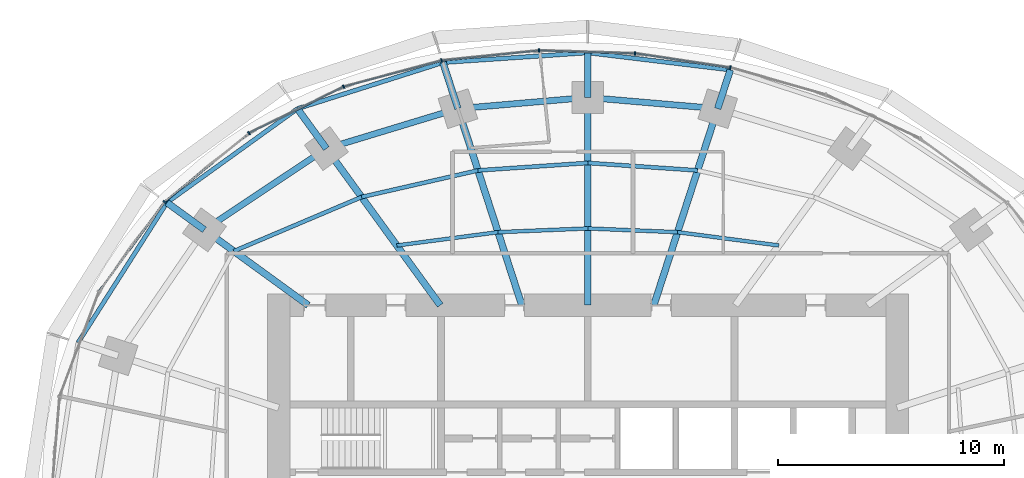
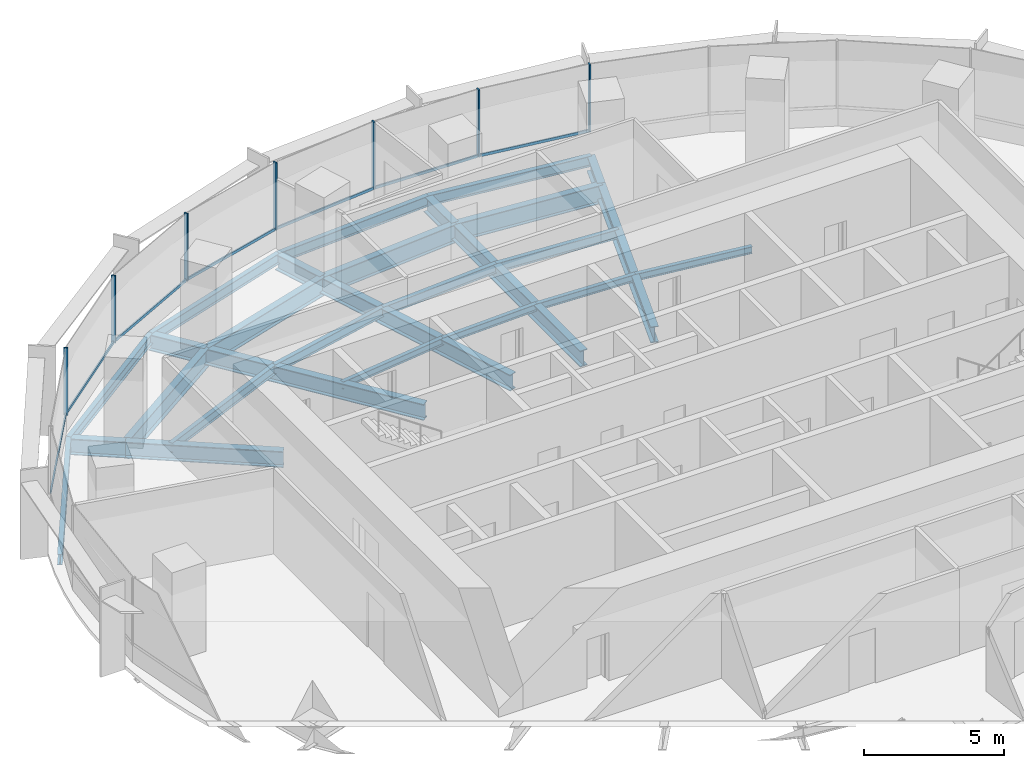
# One storey, part 7 of 15: 27 beams, 14 members, 2 elements without a shape of their own.
"""IFC4 building model written with IfcOpenShell, lengths in metres."""

from ifc_helpers import new_model, si_unit, direction, frame, origin, origin_2d, place, context, subcontext, project, spatial, rectangle, i_section, extrude, material, material_profile, profile_set, type_object, element, aggregate, save


model = new_model("IFC4")

# Units and contexts
model_context = context("Model", 3, precision=1e-05, world=origin(), true_north=direction((0.0, 1.0)))
body_context = subcontext(model_context, "Body", "Model", "MODEL_VIEW")
ifc_project = project(units=[si_unit("LENGTHUNIT", "METRE"), si_unit("AREAUNIT", "SQUARE_METRE"), si_unit("VOLUMEUNIT", "CUBIC_METRE"), si_unit("PLANEANGLEUNIT", "RADIAN"), si_unit("MASSUNIT", "GRAM", prefix="KILO")], contexts=[model_context])

# Site, building, storey
site_placement = place(None, origin())
site = spatial("IfcSite", under=ifc_project, at=site_placement, CompositionType="ELEMENT")
building_placement = place(site_placement, origin())
building = spatial("IfcBuilding", under=site, at=building_placement, Name="Marramba Exchange Tower", CompositionType="ELEMENT")
storey_placement = place(building_placement, frame((0.0, 0.0, 226.699951171875)))
storey = spatial("IfcBuildingStorey", under=building, at=storey_placement, Name="L55", CompositionType="ELEMENT", Elevation=226.699951171875)

# Beams
ifc_material_1 = material(Name="Steel AS/NZS 3679.2 grade 300", Category="steel")
ifc_material_profile_1 = material_profile(ifc_material_1, i_section(OverallWidth=0.300048828125, OverallDepth=0.699951171875, WebThickness=0.010009765625, FlangeThickness=0.031982421875, at=origin_2d()), Name="700WB173")
ifc_profile_set_1 = profile_set([ifc_material_profile_1], Name="Steel AS/NZS 3679.2 grade 300")
beam_type_1 = type_object("IfcBeamType", Name="Cantilever girder 700WB173", PredefinedType="BEAM", material=ifc_profile_set_1)
beam_1_placement = place(storey_placement, frame((5.75390625, 17.70849609375, -0.510009765625), z_axis=(0.308960771946, 0.951074782232, 0.0), x_axis=(-0.951074782232, 0.308960771946, 0.0)))
element("IfcBeam", 1, at=beam_1_placement, inside=storey, type_object=beam_type_1, Name="Cantilever girder L55 TC05", PredefinedType="BEAM", context=body_context, shape_type="SweptSolid", body=[
    extrude(i_section(OverallWidth=0.300048828125, OverallDepth=0.699951171875, WebThickness=0.010009765625, FlangeThickness=0.031982421875, at=origin_2d()), origin(), (0.0, 0.0, 1.0), 1.806396484375),
])
beam_2_placement = place(storey_placement, frame((0.0, 18.2041015625, -0.510009765625), z_axis=(0.0, 1.0, 0.0), x_axis=(-1.0, 0.0, 0.0)))
element("IfcBeam", 2, at=beam_2_placement, inside=storey, type_object=beam_type_1, Name="Cantilever girder L55 TC06", PredefinedType="BEAM", context=body_context, shape_type="SweptSolid", body=[
    extrude(i_section(OverallWidth=0.300048828125, OverallDepth=0.699951171875, WebThickness=0.010009765625, FlangeThickness=0.031982421875, at=origin_2d()), origin(), (0.0, 0.0, 1.0), 1.982177734375),
])
beam_3_placement = place(storey_placement, frame((-5.75390625, 17.70849609375, -0.510009765625), z_axis=(-0.308998798068, 0.951062428441, 0.0), x_axis=(-0.951062428441, -0.308998798068, 0.0)))
element("IfcBeam", 3, at=beam_3_placement, inside=storey, type_object=beam_type_1, Name="Cantilever girder L55 TC07", PredefinedType="BEAM", context=body_context, shape_type="SweptSolid", body=[
    extrude(i_section(OverallWidth=0.300048828125, OverallDepth=0.699951171875, WebThickness=0.010009765625, FlangeThickness=0.031982421875, at=origin_2d()), origin(), (0.0, 0.0, 1.0), 2.150634765625),
])
beam_4_placement = place(storey_placement, frame((-11.581298828125, 15.9404296875, -0.510009765625), z_axis=(-0.587832433352, 0.808982713226, 0.0), x_axis=(-0.808982713226, -0.587832433352, 0.0)))
element("IfcBeam", 4, at=beam_4_placement, inside=storey, type_object=beam_type_1, Name="Cantilever girder L55 TC08", PredefinedType="BEAM", context=body_context, shape_type="SweptSolid", body=[
    extrude(i_section(OverallWidth=0.300048828125, OverallDepth=0.699951171875, WebThickness=0.010009765625, FlangeThickness=0.031982421875, at=origin_2d()), origin(), (0.0, 0.0, 1.0), 2.1826171875),
])
beam_5_placement = place(storey_placement, frame((-16.98583984375, 12.3408203125, -0.510009765625), z_axis=(-0.808962446125, 0.587860324192, 0.0), x_axis=(-0.587860324192, -0.808962446125, 0.0)))
element("IfcBeam", 5, at=beam_5_placement, inside=storey, type_object=beam_type_1, Name="Cantilever girder L55 TC09", PredefinedType="BEAM", context=body_context, shape_type="SweptSolid", body=[
    extrude(i_section(OverallWidth=0.300048828125, OverallDepth=0.699951171875, WebThickness=0.010009765625, FlangeThickness=0.031982421875, at=origin_2d()), origin(), (0.0, 0.0, 1.0), 2.051513671875),
])
ifc_material_2 = material(Name="Steel AS/NZS 3679.1 grade 300", Category="steel")
ifc_material_profile_2 = material_profile(ifc_material_2, i_section(OverallWidth=0.166015625, OverallDepth=0.306884765625, WebThickness=0.006591796875, FlangeThickness=0.01171875, FilletRadius=0.011474609375, at=origin_2d()), Name="310UB46.2")
ifc_profile_set_2 = profile_set([ifc_material_profile_2], Name="Steel AS/NZS 3679.1 grade 300")
beam_type_2 = type_object("IfcBeamType", Name="Floor joist 310UB46.2", PredefinedType="JOIST", material=ifc_profile_set_2)
beam_6_placement = place(storey_placement, frame((8.4619140625, 11.646728515625, -0.3134765625), z_axis=(-0.991480538255, 0.130254912618, 0.0), x_axis=(-0.130254912618, -0.991480538255, 0.0)))
element("IfcBeam", 6, at=beam_6_placement, inside=storey, type_object=beam_type_2, Name="Joist L55 bay 04 row 1", PredefinedType="JOIST", context=body_context, shape_type="SweptSolid", body=[
    extrude(i_section(OverallWidth=0.166015625, OverallDepth=0.306884765625, WebThickness=0.006591796875, FlangeThickness=0.01171875, FilletRadius=0.011474609375, at=origin_2d()), origin(), (0.0, 0.0, 1.0), 4.524658203125),
])
for number, where, z_axis, x_axis, name in (
    (7, (3.975830078125, 12.236083984375, -0.3134765625), (-0.999137002892, 0.041536122257, 0.0), (-0.041536122257, -0.999137002892, 0.0), "Joist L55 bay 05 row 1"),
    (8, (0.0, 12.4013671875, -0.3134765625), (-0.999137002892, -0.041536122257, 0.0), (0.041536122257, -0.999137002892, 0.0), "Joist L55 bay 06 row 1"),
):
    element("IfcBeam", number, at=place(storey_placement, frame(where, z_axis=z_axis, x_axis=x_axis)), inside=storey, type_object=beam_type_2, Name=name, PredefinedType="JOIST", context=body_context, shape_type="SweptSolid", body=[
        extrude(i_section(OverallWidth=0.166015625, OverallDepth=0.306884765625, WebThickness=0.006591796875, FlangeThickness=0.01171875, FilletRadius=0.011474609375, at=origin_2d()), origin(), (0.0, 0.0, 1.0), 3.979248046875),
    ])
beam_7_placement = place(storey_placement, frame((-3.975830078125, 12.236083984375, -0.3134765625), z_axis=(-0.991480538255, -0.130254912618, 0.0), x_axis=(0.130254912618, -0.991480538255, 0.0)))
element("IfcBeam", 9, at=beam_7_placement, inside=storey, type_object=beam_type_2, Name="Joist L55 bay 07 row 1", PredefinedType="JOIST", context=body_context, shape_type="SweptSolid", body=[
    extrude(i_section(OverallWidth=0.166015625, OverallDepth=0.306884765625, WebThickness=0.006591796875, FlangeThickness=0.01171875, FilletRadius=0.011474609375, at=origin_2d()), origin(), (0.0, 0.0, 1.0), 4.524658203125),
])
ifc_material_profile_3 = material_profile(ifc_material_2, i_section(OverallWidth=0.177978515625, OverallDepth=0.406005859375, WebThickness=0.0078125, FlangeThickness=0.0126953125, FilletRadius=0.011474609375, at=origin_2d()), Name="410UB59.7")
ifc_profile_set_3 = profile_set([ifc_material_profile_3], Name="Steel AS/NZS 3679.1 grade 300")
beam_type_3 = type_object("IfcBeamType", Name="Floor joist 410UB59.7", PredefinedType="JOIST", material=ifc_profile_set_3)
for number, where, z_axis, x_axis, name in (
    (10, (4.86474609375, 14.972412109375, -0.363037109375), (-0.997702652202, 0.067745241816, 0.0), (-0.067745241816, -0.997702652202, 0.0), "Joist L55 bay 05 row 2"),
    (11, (0.0, 15.302734375, -0.363037109375), (-0.997702652202, -0.067745241816, 0.0), (0.067745241816, -0.997702652202, 0.0), "Joist L55 bay 06 row 2"),
):
    element("IfcBeam", number, at=place(storey_placement, frame(where, z_axis=z_axis, x_axis=x_axis)), inside=storey, type_object=beam_type_3, Name=name, PredefinedType="JOIST", context=body_context, shape_type="SweptSolid", body=[
        extrude(i_section(OverallWidth=0.177978515625, OverallDepth=0.406005859375, WebThickness=0.0078125, FlangeThickness=0.0126953125, FilletRadius=0.011474609375, at=origin_2d()), origin(), (0.0, 0.0, 1.0), 4.8759765625),
    ])
beam_8_placement = place(storey_placement, frame((-4.86474609375, 14.972412109375, -0.363037109375), z_axis=(-0.974859652292, -0.222819788916, 0.0), x_axis=(0.222819788916, -0.974859652292, 0.0)))
element("IfcBeam", 12, at=beam_8_placement, inside=storey, type_object=beam_type_3, Name="Joist L55 bay 07 row 2", PredefinedType="JOIST", context=body_context, shape_type="SweptSolid", body=[
    extrude(i_section(OverallWidth=0.177978515625, OverallDepth=0.406005859375, WebThickness=0.0078125, FlangeThickness=0.0126953125, FilletRadius=0.011474609375, at=origin_2d()), origin(), (0.0, 0.0, 1.0), 5.2900390625),
])
beam_9_placement = place(storey_placement, frame((-10.021728515625, 13.793701171875, -0.363037109375), z_axis=(-0.920674336375, -0.390331610738, 0.0), x_axis=(0.390331610738, -0.920674336375, 0.0)))
element("IfcBeam", 13, at=beam_9_placement, inside=storey, type_object=beam_type_3, Name="Joist L55 bay 08 row 2", PredefinedType="JOIST", context=body_context, shape_type="SweptSolid", body=[
    extrude(i_section(OverallWidth=0.177978515625, OverallDepth=0.406005859375, WebThickness=0.0078125, FlangeThickness=0.0126953125, FilletRadius=0.011474609375, at=origin_2d()), origin(), (0.0, 0.0, 1.0), 6.1484375),
])

# Curtain wall, members
ifc_material_3 = material(Name="Aluminium framing, bronze anodised", Category="aluminium")
curtain_wall_type = type_object("IfcCurtainWallType", Name="Office ribbon curtain wall", PredefinedType="USERDEFINED", material=ifc_material_3)
curtain_wall_1_placement = place(storey_placement, origin())
curtain_wall_1 = element("IfcCurtainWall", 14, at=curtain_wall_1_placement, inside=storey, type_object=curtain_wall_type, Name="Curtain wall CW4 L55 F06-F10", ObjectType="RIBBON CURTAIN WALL", PredefinedType="USERDEFINED")
ifc_material_4 = material(Name="Aluminium mullion, bronze anodised", Category="aluminium")
ifc_material_profile_4 = material_profile(ifc_material_4, rectangle(XDim=0.159912109375, YDim=0.06005859375, at=origin_2d()), Name="CW4 mullion 60x160")
ifc_profile_set_4 = profile_set([ifc_material_profile_4], Name="Aluminium mullion, bronze anodised")
member_type_1 = type_object("IfcMemberType", Name="Office ribbon curtain wall mullion", PredefinedType="MULLION", material=ifc_profile_set_4)
member_1_placement = place(storey_placement, frame((6.313232421875, 19.526123046875, 0.800048828125), z_axis=(0.0, 0.0, 1.0), x_axis=(-0.148794988635, -0.988868065698, 0.0)))
member_1 = element("IfcMember", 15, at=member_1_placement, type_object=member_type_1, Name="CW4 mullion 1", PredefinedType="MULLION", context=body_context, shape_type="SweptSolid", body=[
    extrude(rectangle(XDim=0.159912109375, YDim=0.06005859375, at=origin_2d()), origin(), (0.0, 0.0, 1.0), 2.93994140625),
])
member_2_placement = place(storey_placement, frame((2.088623046875, 20.158203125, 0.800048828125), z_axis=(0.0, 0.0, 1.0), x_axis=(-0.03039385249, -0.999538000143, 0.0)))
member_2 = element("IfcMember", 16, at=member_2_placement, type_object=member_type_1, Name="CW4 mullion 1", PredefinedType="MULLION", context=body_context, shape_type="SweptSolid", body=[
    extrude(rectangle(XDim=0.159912109375, YDim=0.06005859375, at=origin_2d()), origin(), (0.0, 0.0, 1.0), 2.93994140625),
])
member_3_placement = place(storey_placement, frame((-2.162109375, 20.28369140625, 0.800048828125), z_axis=(0.0, 0.0, 1.0), x_axis=(0.100862673507, -0.994900357369, 0.0)))
member_3 = element("IfcMember", 17, at=member_3_placement, type_object=member_type_1, Name="CW4 mullion 1", PredefinedType="MULLION", context=body_context, shape_type="SweptSolid", body=[
    extrude(rectangle(XDim=0.159912109375, YDim=0.06005859375, at=origin_2d()), origin(), (0.0, 0.0, 1.0), 2.93994140625),
])
member_4_placement = place(storey_placement, frame((-6.478271484375, 19.84130859375, 0.800048828125), z_axis=(0.0, 0.0, 1.0), x_axis=(0.257641223778, -0.966240653155, 0.0)))
member_4 = element("IfcMember", 18, at=member_4_placement, type_object=member_type_1, Name="CW4 mullion 1", PredefinedType="MULLION", context=body_context, shape_type="SweptSolid", body=[
    extrude(rectangle(XDim=0.159912109375, YDim=0.06005859375, at=origin_2d()), origin(), (0.0, 0.0, 1.0), 2.93994140625),
])

curtain_wall_2_placement = place(storey_placement, origin())
curtain_wall_2 = element("IfcCurtainWall", 19, at=curtain_wall_2_placement, inside=storey, type_object=curtain_wall_type, Name="Curtain wall CW4 L55 F11-F15", ObjectType="RIBBON CURTAIN WALL", PredefinedType="USERDEFINED")
member_5_placement = place(storey_placement, frame((-10.818359375, 18.677978515625, 0.800048828125), z_axis=(0.0, 0.0, 1.0), x_axis=(0.438972456661, -0.898500518805, 0.0)))
member_5 = element("IfcMember", 20, at=member_5_placement, type_object=member_type_1, Name="CW4 mullion 1", PredefinedType="MULLION", context=body_context, shape_type="SweptSolid", body=[
    extrude(rectangle(XDim=0.159912109375, YDim=0.06005859375, at=origin_2d()), origin(), (0.0, 0.0, 1.0), 2.93994140625),
])
member_6_placement = place(storey_placement, frame((-15.008056640625, 16.62353515625, 0.800048828125), z_axis=(0.0, 0.0, 1.0), x_axis=(0.630200830464, -0.776432169145, 0.0)))
member_6 = element("IfcMember", 21, at=member_6_placement, type_object=member_type_1, Name="CW4 mullion 1", PredefinedType="MULLION", context=body_context, shape_type="SweptSolid", body=[
    extrude(rectangle(XDim=0.159912109375, YDim=0.06005859375, at=origin_2d()), origin(), (0.0, 0.0, 1.0), 2.93994140625),
])
member_7_placement = place(storey_placement, frame((-18.744140625, 13.581298828125, 0.800048828125), z_axis=(0.0, 0.0, 1.0), x_axis=(0.805965197024, -0.591962922138, 0.0)))
member_7 = element("IfcMember", 22, at=member_7_placement, type_object=member_type_1, Name="CW4 mullion 1", PredefinedType="MULLION", context=body_context, shape_type="SweptSolid", body=[
    extrude(rectangle(XDim=0.159912109375, YDim=0.06005859375, at=origin_2d()), origin(), (0.0, 0.0, 1.0), 2.93994140625),
])

# Member
ifc_material_5 = material(Name="Aluminium transom, bronze anodised", Category="aluminium")
ifc_material_profile_5 = material_profile(ifc_material_5, rectangle(XDim=0.06005859375, YDim=0.1201171875, at=origin_2d()), Name="CW4 transom 60x120")
ifc_profile_set_5 = profile_set([ifc_material_profile_5], Name="Aluminium transom, bronze anodised")
member_type_2 = type_object("IfcMemberType", Name="Office ribbon curtain wall transom", PredefinedType="USERDEFINED", material=ifc_profile_set_5)
member_8_placement = place(storey_placement, frame((6.28369140625, 19.53076171875, 0.830078125), z_axis=(-0.988868222508, 0.148793946493, 0.0), x_axis=(-0.148793946493, -0.988868222508, 0.0)))
member_8 = element("IfcMember", 23, at=member_8_placement, type_object=member_type_2, Name="CW4 sill transom", ObjectType="TRANSOM", PredefinedType="USERDEFINED", context=body_context, shape_type="SweptSolid", body=[
    extrude(rectangle(XDim=0.06005859375, YDim=0.1201171875, at=origin_2d()), origin(), (0.0, 0.0, 1.0), 4.2119140625),
])

member_9_placement = place(storey_placement, frame((2.05859375, 20.1591796875, 0.830078125), z_axis=(-0.99953796835, 0.030394898024, 0.0), x_axis=(-0.030394898024, -0.99953796835, 0.0)))
member_9 = element("IfcMember", 24, at=member_9_placement, type_object=member_type_2, Name="CW4 sill transom", ObjectType="TRANSOM", PredefinedType="USERDEFINED", context=body_context, shape_type="SweptSolid", body=[
    extrude(rectangle(XDim=0.06005859375, YDim=0.1201171875, at=origin_2d()), origin(), (0.0, 0.0, 1.0), 4.19287109375),
])

member_10_placement = place(storey_placement, frame((-2.19189453125, 20.280517578125, 0.830078125), z_axis=(-0.99489954864, -0.100870650418, 0.0), x_axis=(0.100870650418, -0.99489954864, 0.0)))
member_10 = element("IfcMember", 25, at=member_10_placement, type_object=member_type_2, Name="CW4 sill transom", ObjectType="TRANSOM", PredefinedType="USERDEFINED", context=body_context, shape_type="SweptSolid", body=[
    extrude(rectangle(XDim=0.06005859375, YDim=0.1201171875, at=origin_2d()), origin(), (0.0, 0.0, 1.0), 4.279052734375),
])

member_11_placement = place(storey_placement, frame((-6.50732421875, 19.83349609375, 0.830078125), z_axis=(-0.966237681407, -0.25765236857, 0.0), x_axis=(0.25765236857, -0.966237681407, 0.0)))
member_11 = element("IfcMember", 26, at=member_11_placement, type_object=member_type_2, Name="CW4 sill transom", ObjectType="TRANSOM", PredefinedType="USERDEFINED", context=body_context, shape_type="SweptSolid", body=[
    extrude(rectangle(XDim=0.06005859375, YDim=0.1201171875, at=origin_2d()), origin(), (0.0, 0.0, 1.0), 4.43359375),
])

aggregate(curtain_wall_1, [member_1, member_8, member_2, member_9, member_3, member_10, member_4, member_11])

member_12_placement = place(storey_placement, frame((-10.84521484375, 18.664794921875, 0.830078125), z_axis=(-0.898501418486, -0.438970615165, 0.0), x_axis=(0.438970615165, -0.898501418486, 0.0)))
member_12 = element("IfcMember", 27, at=member_12_placement, type_object=member_type_2, Name="CW4 sill transom", ObjectType="TRANSOM", PredefinedType="USERDEFINED", context=body_context, shape_type="SweptSolid", body=[
    extrude(rectangle(XDim=0.06005859375, YDim=0.1201171875, at=origin_2d()), origin(), (0.0, 0.0, 1.0), 4.607177734375),
])

member_13_placement = place(storey_placement, frame((-15.031494140625, 16.6044921875, 0.830078125), z_axis=(-0.776424623019, -0.630210127473, 0.0), x_axis=(0.630210127473, -0.776424623019, 0.0)))
member_13 = element("IfcMember", 28, at=member_13_placement, type_object=member_type_2, Name="CW4 sill transom", ObjectType="TRANSOM", PredefinedType="USERDEFINED", context=body_context, shape_type="SweptSolid", body=[
    extrude(rectangle(XDim=0.06005859375, YDim=0.1201171875, at=origin_2d()), origin(), (0.0, 0.0, 1.0), 4.7587890625),
])

member_14_placement = place(storey_placement, frame((-18.761962890625, 13.55712890625, 0.830078125), z_axis=(-0.591957380483, -0.805969267213, 0.0), x_axis=(0.805969267213, -0.591957380483, 0.0)))
member_14 = element("IfcMember", 29, at=member_14_placement, type_object=member_type_2, Name="CW4 sill transom", ObjectType="TRANSOM", PredefinedType="USERDEFINED", context=body_context, shape_type="SweptSolid", body=[
    extrude(rectangle(XDim=0.06005859375, YDim=0.1201171875, at=origin_2d()), origin(), (0.0, 0.0, 1.0), 4.865478515625),
])

aggregate(curtain_wall_2, [member_5, member_12, member_6, member_13, member_7, member_14])

# Beams
ifc_material_profile_6 = material_profile(ifc_material_1, i_section(OverallWidth=0.300048828125, OverallDepth=0.699951171875, WebThickness=0.010009765625, FlangeThickness=0.031982421875, at=origin_2d()), Name="700WB173")
ifc_profile_set_6 = profile_set([ifc_material_profile_6], Name="Steel AS/NZS 3679.2 grade 300")
beam_type_4 = type_object("IfcBeamType", Name="Radial girder 700WB173", PredefinedType="BEAM", material=ifc_profile_set_6)
beam_10_placement = place(storey_placement, frame((2.92431640625, 9.0, -0.510009765625), z_axis=(0.309019754162, 0.951055619582, 0.0), x_axis=(-0.951055619582, 0.309019754162, 0.0)))
element("IfcBeam", 30, at=beam_10_placement, inside=storey, type_object=beam_type_4, Name="Radial girder L55 TC05", PredefinedType="BEAM", context=body_context, shape_type="SweptSolid", body=[
    extrude(i_section(OverallWidth=0.300048828125, OverallDepth=0.699951171875, WebThickness=0.010009765625, FlangeThickness=0.031982421875, at=origin_2d()), origin(), (0.0, 0.0, 1.0), 9.15673828125),
])
beam_11_placement = place(storey_placement, frame((0.0, 9.0, -0.510009765625), z_axis=(0.0, 1.0, 0.0), x_axis=(-1.0, 0.0, 0.0)))
element("IfcBeam", 31, at=beam_11_placement, inside=storey, type_object=beam_type_4, Name="Radial girder L55 TC06", PredefinedType="BEAM", context=body_context, shape_type="SweptSolid", body=[
    extrude(i_section(OverallWidth=0.300048828125, OverallDepth=0.699951171875, WebThickness=0.010009765625, FlangeThickness=0.031982421875, at=origin_2d()), origin(), (0.0, 0.0, 1.0), 9.2041015625),
])
beam_12_placement = place(storey_placement, frame((-2.92431640625, 9.0, -0.510009765625), z_axis=(-0.309019754162, 0.951055619582, 0.0), x_axis=(-0.951055619582, -0.309019754162, 0.0)))
element("IfcBeam", 32, at=beam_12_placement, inside=storey, type_object=beam_type_4, Name="Radial girder L55 TC07", PredefinedType="BEAM", context=body_context, shape_type="SweptSolid", body=[
    extrude(i_section(OverallWidth=0.300048828125, OverallDepth=0.699951171875, WebThickness=0.010009765625, FlangeThickness=0.031982421875, at=origin_2d()), origin(), (0.0, 0.0, 1.0), 9.15673828125),
])
beam_13_placement = place(storey_placement, frame((-6.538818359375, 9.0, -0.510009765625), z_axis=(-0.587782439969, 0.80901903764, 0.0), x_axis=(-0.80901903764, -0.587782439969, 0.0)))
element("IfcBeam", 33, at=beam_13_placement, inside=storey, type_object=beam_type_4, Name="Radial girder L55 TC08", PredefinedType="BEAM", context=body_context, shape_type="SweptSolid", body=[
    extrude(i_section(OverallWidth=0.300048828125, OverallDepth=0.699951171875, WebThickness=0.010009765625, FlangeThickness=0.031982421875, at=origin_2d()), origin(), (0.0, 0.0, 1.0), 8.578857421875),
])
beam_14_placement = place(storey_placement, frame((-12.387451171875, 9.0, -0.510009765625), z_axis=(-0.809025746925, 0.587773205252, 0.0), x_axis=(-0.587773205252, -0.809025746925, 0.0)))
element("IfcBeam", 34, at=beam_14_placement, inside=storey, type_object=beam_type_4, Name="Radial girder L55 TC09", PredefinedType="BEAM", context=body_context, shape_type="SweptSolid", body=[
    extrude(i_section(OverallWidth=0.300048828125, OverallDepth=0.699951171875, WebThickness=0.010009765625, FlangeThickness=0.031982421875, at=origin_2d()), origin(), (0.0, 0.0, 1.0), 5.683837890625),
])
ifc_material_profile_7 = material_profile(ifc_material_1, i_section(OverallWidth=0.27490234375, OverallDepth=0.800048828125, WebThickness=0.010009765625, FlangeThickness=0.02490234375, at=origin_2d()), Name="800WB168")
ifc_profile_set_7 = profile_set([ifc_material_profile_7], Name="Steel AS/NZS 3679.2 grade 300")
beam_type_5 = type_object("IfcBeamType", Name="Ring beam 800WB168", PredefinedType="SPANDREL", material=ifc_profile_set_7)
for number, where, z_axis, x_axis, name in (
    (35, (5.75390625, 17.70849609375, -0.56005859375), (-0.996311003275, 0.085815993578, 0.0), (-0.085815993578, -0.996311003275, 0.0), "Ring beam L55 TC05-TC06"),
    (36, (0.0, 18.2041015625, -0.56005859375), (-0.996311003275, -0.085815993578, 0.0), (0.085815993578, -0.996311003275, 0.0), "Ring beam L55 TC06-TC07"),
):
    element("IfcBeam", number, at=place(storey_placement, frame(where, z_axis=z_axis, x_axis=x_axis)), inside=storey, type_object=beam_type_5, Name=name, PredefinedType="SPANDREL", context=body_context, shape_type="SweptSolid", body=[
        extrude(i_section(OverallWidth=0.27490234375, OverallDepth=0.800048828125, WebThickness=0.010009765625, FlangeThickness=0.02490234375, at=origin_2d()), origin(), (0.0, 0.0, 1.0), 5.775146484375),
    ])
beam_15_placement = place(storey_placement, frame((-5.75390625, 17.70849609375, -0.56005859375), z_axis=(-0.956924542524, -0.290336735387, 0.0), x_axis=(0.290336735387, -0.956924542524, 0.0)))
element("IfcBeam", 37, at=beam_15_placement, inside=storey, type_object=beam_type_5, Name="Ring beam L55 TC07-TC08", PredefinedType="SPANDREL", context=body_context, shape_type="SweptSolid", body=[
    extrude(i_section(OverallWidth=0.27490234375, OverallDepth=0.800048828125, WebThickness=0.010009765625, FlangeThickness=0.02490234375, at=origin_2d()), origin(), (0.0, 0.0, 1.0), 6.089599609375),
])
beam_16_placement = place(storey_placement, frame((-11.581298828125, 15.9404296875, -0.56005859375), z_axis=(-0.832293151443, -0.554335737673, 0.0), x_axis=(0.554335737673, -0.832293151443, 0.0)))
element("IfcBeam", 38, at=beam_16_placement, inside=storey, type_object=beam_type_5, Name="Ring beam L55 TC08-TC09", PredefinedType="SPANDREL", context=body_context, shape_type="SweptSolid", body=[
    extrude(i_section(OverallWidth=0.27490234375, OverallDepth=0.800048828125, WebThickness=0.010009765625, FlangeThickness=0.02490234375, at=origin_2d()), origin(), (0.0, 0.0, 1.0), 6.49365234375),
])
ifc_material_profile_8 = material_profile(ifc_material_2, i_section(OverallWidth=0.19091796875, OverallDepth=0.4599609375, WebThickness=0.010009765625, FlangeThickness=0.01611328125, FilletRadius=0.011474609375, at=origin_2d()), Name="460UB82.1")
ifc_profile_set_8 = profile_set([ifc_material_profile_8], Name="Steel AS/NZS 3679.1 grade 300")
beam_type_6 = type_object("IfcBeamType", Name="Slab edge beam 460UB82.1", PredefinedType="SPANDREL", material=ifc_profile_set_8)
beam_17_placement = place(storey_placement, frame((6.31201171875, 19.426513671875, -0.389892578125), z_axis=(-0.992833525914, 0.119505605811, 0.0), x_axis=(-0.119505605811, -0.992833525914, 0.0)))
element("IfcBeam", 39, at=beam_17_placement, inside=storey, type_object=beam_type_6, Name="Slab edge beam L55 TC05-TC06", PredefinedType="SPANDREL", context=body_context, shape_type="SweptSolid", body=[
    extrude(i_section(OverallWidth=0.19091796875, OverallDepth=0.4599609375, WebThickness=0.010009765625, FlangeThickness=0.01611328125, FilletRadius=0.011474609375, at=origin_2d()), origin(), (0.0, 0.0, 1.0), 6.357666015625),
])
beam_18_placement = place(storey_placement, frame((0.0, 20.186279296875, -0.389892578125), z_axis=(-0.997738737775, -0.06721168903, 0.0), x_axis=(0.06721168903, -0.997738737775, 0.0)))
element("IfcBeam", 40, at=beam_18_placement, inside=storey, type_object=beam_type_6, Name="Slab edge beam L55 TC06-TC07", PredefinedType="SPANDREL", context=body_context, shape_type="SweptSolid", body=[
    extrude(i_section(OverallWidth=0.19091796875, OverallDepth=0.4599609375, WebThickness=0.010009765625, FlangeThickness=0.01611328125, FilletRadius=0.011474609375, at=origin_2d()), origin(), (0.0, 0.0, 1.0), 6.43310546875),
])
beam_19_placement = place(storey_placement, frame((-6.41845703125, 19.75390625, -0.389892578125), z_axis=(-0.953057484675, -0.302789416766, 0.0), x_axis=(0.302789416766, -0.953057484675, 0.0)))
element("IfcBeam", 41, at=beam_19_placement, inside=storey, type_object=beam_type_6, Name="Slab edge beam L55 TC07-TC08", PredefinedType="SPANDREL", context=body_context, shape_type="SweptSolid", body=[
    extrude(i_section(OverallWidth=0.19091796875, OverallDepth=0.4599609375, WebThickness=0.010009765625, FlangeThickness=0.01611328125, FilletRadius=0.011474609375, at=origin_2d()), origin(), (0.0, 0.0, 1.0), 6.76318359375),
])
beam_20_placement = place(storey_placement, frame((-12.8642578125, 17.7060546875, -0.389892578125), z_axis=(-0.811755352788, -0.583997643163, 0.0), x_axis=(0.583997643163, -0.811755352788, 0.0)))
element("IfcBeam", 42, at=beam_20_placement, inside=storey, type_object=beam_type_6, Name="Slab edge beam L55 TC08-TC09", PredefinedType="SPANDREL", context=body_context, shape_type="SweptSolid", body=[
    extrude(i_section(OverallWidth=0.19091796875, OverallDepth=0.4599609375, WebThickness=0.010009765625, FlangeThickness=0.01611328125, FilletRadius=0.011474609375, at=origin_2d()), origin(), (0.0, 0.0, 1.0), 7.121826171875),
])
beam_21_placement = place(storey_placement, frame((-18.6455078125, 13.546875, -0.389892578125), z_axis=(-0.535794396634, -0.844348485245, 0.0), x_axis=(0.844348485245, -0.535794396634, 0.0)))
element("IfcBeam", 43, at=beam_21_placement, inside=storey, type_object=beam_type_6, Name="Slab edge beam L55 TC09-TC10", PredefinedType="SPANDREL", context=body_context, shape_type="SweptSolid", body=[
    extrude(i_section(OverallWidth=0.19091796875, OverallDepth=0.4599609375, WebThickness=0.010009765625, FlangeThickness=0.01611328125, FilletRadius=0.011474609375, at=origin_2d()), origin(), (0.0, 0.0, 1.0), 7.35302734375),
])

save(model, "model.ifc")
